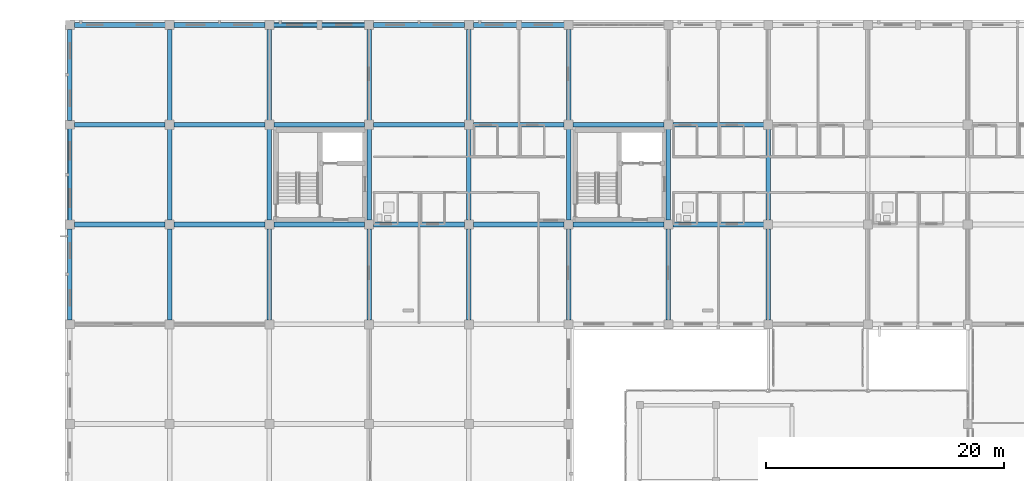
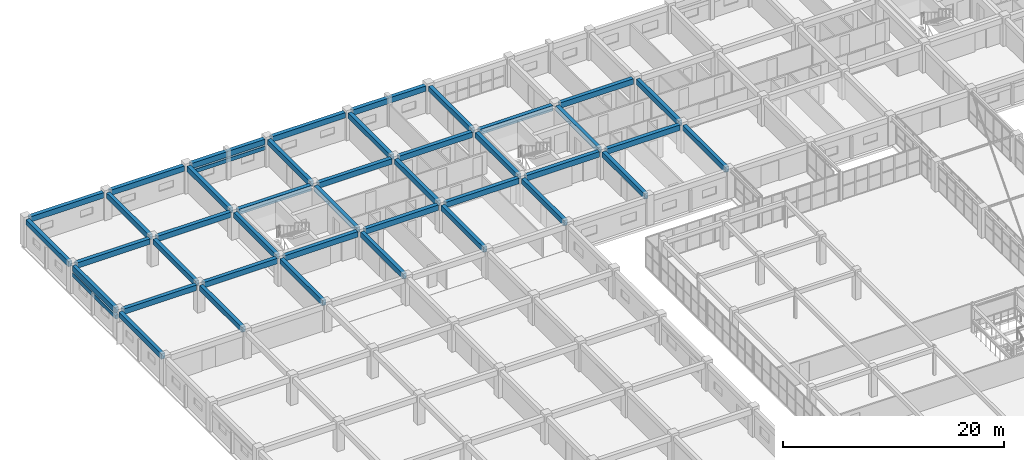
# One storey, part 89 of 200: 43 beams.
"""IFC4 building model written with IfcOpenShell, lengths in metres."""

from ifc_helpers import new_model, si_unit, direction, frame, origin, origin_2d, place, context, subcontext, project, spatial, rectangle, extrude, material, material_profile, profile_set, type_object, element, save


model = new_model("IFC4")

# Units and contexts
model_context = context("Model", 3, precision=1e-05, world=origin(), true_north=direction((0.0, 1.0)))
body_context = subcontext(model_context, "Body", "Model", "MODEL_VIEW")
ifc_project = project(units=[si_unit("LENGTHUNIT", "METRE"), si_unit("AREAUNIT", "SQUARE_METRE"), si_unit("VOLUMEUNIT", "CUBIC_METRE"), si_unit("PLANEANGLEUNIT", "RADIAN"), si_unit("MASSUNIT", "GRAM", prefix="KILO")], contexts=[model_context])

# Site, building, storey
site_placement = place(None, origin())
site = spatial("IfcSite", under=ifc_project, at=site_placement, CompositionType="ELEMENT")
building_placement = place(site_placement, origin())
building = spatial("IfcBuilding", under=site, at=building_placement, Name="Trelvath General Hospital", CompositionType="ELEMENT")
storey_placement = place(building_placement, frame((0.0, 0.0, 4.800048828125)))
storey = spatial("IfcBuildingStorey", under=building, at=storey_placement, Name="L01", CompositionType="ELEMENT", Elevation=4.800048828125)

# Beams
ifc_material_1 = material(Name="Concrete C35/45", Category="concrete")
ifc_material_profile_1 = material_profile(ifc_material_1, rectangle(XDim=0.3798828125, YDim=0.580078125, at=origin_2d()), Name="RCB380x580")
ifc_profile_set_1 = profile_set([ifc_material_profile_1], Name="Concrete C35/45")
beam_type_1 = type_object("IfcBeamType", Name="Beam RC380x580", PredefinedType="BEAM", material=ifc_profile_set_1)
beam_1_placement = place(storey_placement, frame((0.0, 92.77001953125, 2.72998046875), z_axis=(0.0, 1.0, 0.0), x_axis=(-1.0, 0.0, 0.0)))
element("IfcBeam", 1, at=beam_1_placement, inside=storey, type_object=beam_type_1, Name="Grid Beam BY-100L", PredefinedType="BEAM", context=body_context, shape_type="SweptSolid", body=[
    extrude(rectangle(XDim=0.3798828125, YDim=0.580078125, at=origin_2d()), origin(), (0.0, 0.0, 1.0), 7.659912109375),
])
beam_2_placement = place(storey_placement, frame((0.0, 101.169921875, 2.72998046875), z_axis=(0.0, 1.0, 0.0), x_axis=(-1.0, 0.0, 0.0)))
element("IfcBeam", 2, at=beam_2_placement, inside=storey, type_object=beam_type_1, Name="Grid Beam BY-100M", PredefinedType="BEAM", context=body_context, shape_type="SweptSolid", body=[
    extrude(rectangle(XDim=0.3798828125, YDim=0.580078125, at=origin_2d()), origin(), (0.0, 0.0, 1.0), 7.66015625),
])
beam_3_placement = place(storey_placement, frame((0.0, 109.570068359375, 2.72998046875), z_axis=(0.0, 1.0, 0.0), x_axis=(-1.0, 0.0, 0.0)))
element("IfcBeam", 3, at=beam_3_placement, inside=storey, type_object=beam_type_1, Name="Grid Beam BY-100N", PredefinedType="BEAM", context=body_context, shape_type="SweptSolid", body=[
    extrude(rectangle(XDim=0.3798828125, YDim=0.580078125, at=origin_2d()), origin(), (0.0, 0.0, 1.0), 7.659912109375),
])
beam_4_placement = place(storey_placement, frame((8.39990234375, 92.77490234375, 2.72998046875), z_axis=(0.0, 1.0, 0.0), x_axis=(-1.0, 0.0, 0.0)))
element("IfcBeam", 4, at=beam_4_placement, inside=storey, type_object=beam_type_1, Name="Grid Beam BY-101L", PredefinedType="BEAM", context=body_context, shape_type="SweptSolid", body=[
    extrude(rectangle(XDim=0.3798828125, YDim=0.580078125, at=origin_2d()), origin(), (0.0, 0.0, 1.0), 7.650146484375),
])
beam_5_placement = place(storey_placement, frame((8.39990234375, 101.175048828125, 2.72998046875), z_axis=(0.0, 1.0, 0.0), x_axis=(-1.0, 0.0, 0.0)))
element("IfcBeam", 5, at=beam_5_placement, inside=storey, type_object=beam_type_1, Name="Grid Beam BY-101M", PredefinedType="BEAM", context=body_context, shape_type="SweptSolid", body=[
    extrude(rectangle(XDim=0.3798828125, YDim=0.580078125, at=origin_2d()), origin(), (0.0, 0.0, 1.0), 7.64990234375),
])
beam_6_placement = place(storey_placement, frame((8.39990234375, 109.574951171875, 2.72998046875), z_axis=(0.0, 1.0, 0.0), x_axis=(-1.0, 0.0, 0.0)))
element("IfcBeam", 6, at=beam_6_placement, inside=storey, type_object=beam_type_1, Name="Grid Beam BY-101N", PredefinedType="BEAM", context=body_context, shape_type="SweptSolid", body=[
    extrude(rectangle(XDim=0.3798828125, YDim=0.580078125, at=origin_2d()), origin(), (0.0, 0.0, 1.0), 7.655029296875),
])
beam_7_placement = place(storey_placement, frame((16.800048828125, 92.77490234375, 2.72998046875), z_axis=(0.0, 1.0, 0.0), x_axis=(-1.0, 0.0, 0.0)))
element("IfcBeam", 7, at=beam_7_placement, inside=storey, type_object=beam_type_1, Name="Grid Beam BY-102L", PredefinedType="BEAM", context=body_context, shape_type="SweptSolid", body=[
    extrude(rectangle(XDim=0.3798828125, YDim=0.580078125, at=origin_2d()), origin(), (0.0, 0.0, 1.0), 7.650146484375),
])
beam_8_placement = place(storey_placement, frame((16.800048828125, 101.175048828125, 2.72998046875), z_axis=(0.0, 1.0, 0.0), x_axis=(-1.0, 0.0, 0.0)))
element("IfcBeam", 8, at=beam_8_placement, inside=storey, type_object=beam_type_1, Name="Grid Beam BY-102M", PredefinedType="BEAM", context=body_context, shape_type="SweptSolid", body=[
    extrude(rectangle(XDim=0.3798828125, YDim=0.580078125, at=origin_2d()), origin(), (0.0, 0.0, 1.0), 7.64990234375),
])
beam_9_placement = place(storey_placement, frame((16.800048828125, 109.574951171875, 2.72998046875), z_axis=(0.0, 1.0, 0.0), x_axis=(-1.0, 0.0, 0.0)))
element("IfcBeam", 9, at=beam_9_placement, inside=storey, type_object=beam_type_1, Name="Grid Beam BY-102N", PredefinedType="BEAM", context=body_context, shape_type="SweptSolid", body=[
    extrude(rectangle(XDim=0.3798828125, YDim=0.580078125, at=origin_2d()), origin(), (0.0, 0.0, 1.0), 7.655029296875),
])
beam_10_placement = place(storey_placement, frame((25.199951171875, 92.77490234375, 2.72998046875), z_axis=(0.0, 1.0, 0.0), x_axis=(-1.0, 0.0, 0.0)))
element("IfcBeam", 10, at=beam_10_placement, inside=storey, type_object=beam_type_1, Name="Grid Beam BY-103L", PredefinedType="BEAM", context=body_context, shape_type="SweptSolid", body=[
    extrude(rectangle(XDim=0.3798828125, YDim=0.580078125, at=origin_2d()), origin(), (0.0, 0.0, 1.0), 7.650146484375),
])
beam_11_placement = place(storey_placement, frame((25.199951171875, 101.175048828125, 2.72998046875), z_axis=(0.0, 1.0, 0.0), x_axis=(-1.0, 0.0, 0.0)))
element("IfcBeam", 11, at=beam_11_placement, inside=storey, type_object=beam_type_1, Name="Grid Beam BY-103M", PredefinedType="BEAM", context=body_context, shape_type="SweptSolid", body=[
    extrude(rectangle(XDim=0.3798828125, YDim=0.580078125, at=origin_2d()), origin(), (0.0, 0.0, 1.0), 7.64990234375),
])
beam_12_placement = place(storey_placement, frame((25.199951171875, 109.574951171875, 2.72998046875), z_axis=(0.0, 1.0, 0.0), x_axis=(-1.0, 0.0, 0.0)))
element("IfcBeam", 12, at=beam_12_placement, inside=storey, type_object=beam_type_1, Name="Grid Beam BY-103N", PredefinedType="BEAM", context=body_context, shape_type="SweptSolid", body=[
    extrude(rectangle(XDim=0.3798828125, YDim=0.580078125, at=origin_2d()), origin(), (0.0, 0.0, 1.0), 7.655029296875),
])
beam_13_placement = place(storey_placement, frame((33.60009765625, 92.77490234375, 2.72998046875), z_axis=(0.0, 1.0, 0.0), x_axis=(-1.0, 0.0, 0.0)))
element("IfcBeam", 13, at=beam_13_placement, inside=storey, type_object=beam_type_1, Name="Grid Beam BY-104L", PredefinedType="BEAM", context=body_context, shape_type="SweptSolid", body=[
    extrude(rectangle(XDim=0.3798828125, YDim=0.580078125, at=origin_2d()), origin(), (0.0, 0.0, 1.0), 7.650146484375),
])
beam_14_placement = place(storey_placement, frame((33.60009765625, 101.175048828125, 2.72998046875), z_axis=(0.0, 1.0, 0.0), x_axis=(-1.0, 0.0, 0.0)))
element("IfcBeam", 14, at=beam_14_placement, inside=storey, type_object=beam_type_1, Name="Grid Beam BY-104M", PredefinedType="BEAM", context=body_context, shape_type="SweptSolid", body=[
    extrude(rectangle(XDim=0.3798828125, YDim=0.580078125, at=origin_2d()), origin(), (0.0, 0.0, 1.0), 7.64990234375),
])
for number, where, z_axis, x_axis, name in (
    (15, (33.60009765625, 109.574951171875, 2.72998046875), (0.0, 1.0, 0.0), (-1.0, 0.0, 0.0), "Grid Beam BY-104N"),
    (16, (42.0, 92.77001953125, 2.72998046875), (0.0, 1.0, 0.0), (-1.0, 0.0, 0.0), "Grid Beam BY-105L"),
):
    element("IfcBeam", number, at=place(storey_placement, frame(where, z_axis=z_axis, x_axis=x_axis)), inside=storey, type_object=beam_type_1, Name=name, PredefinedType="BEAM", context=body_context, shape_type="SweptSolid", body=[
        extrude(rectangle(XDim=0.3798828125, YDim=0.580078125, at=origin_2d()), origin(), (0.0, 0.0, 1.0), 7.655029296875),
    ])
beam_15_placement = place(storey_placement, frame((42.0, 101.175048828125, 2.72998046875), z_axis=(0.0, 1.0, 0.0), x_axis=(-1.0, 0.0, 0.0)))
element("IfcBeam", 17, at=beam_15_placement, inside=storey, type_object=beam_type_1, Name="Grid Beam BY-105M", PredefinedType="BEAM", context=body_context, shape_type="SweptSolid", body=[
    extrude(rectangle(XDim=0.3798828125, YDim=0.580078125, at=origin_2d()), origin(), (0.0, 0.0, 1.0), 7.64990234375),
])
for number, where, z_axis, x_axis, name in (
    (18, (42.0, 109.574951171875, 2.72998046875), (0.0, 1.0, 0.0), (-1.0, 0.0, 0.0), "Grid Beam BY-105N"),
    (19, (50.39990234375, 92.77001953125, 2.72998046875), (0.0, 1.0, 0.0), (-1.0, 0.0, 0.0), "Grid Beam BY-106L"),
):
    element("IfcBeam", number, at=place(storey_placement, frame(where, z_axis=z_axis, x_axis=x_axis)), inside=storey, type_object=beam_type_1, Name=name, PredefinedType="BEAM", context=body_context, shape_type="SweptSolid", body=[
        extrude(rectangle(XDim=0.3798828125, YDim=0.580078125, at=origin_2d()), origin(), (0.0, 0.0, 1.0), 7.655029296875),
    ])
beam_16_placement = place(storey_placement, frame((50.39990234375, 101.175048828125, 2.72998046875), z_axis=(0.0, 1.0, 0.0), x_axis=(-1.0, 0.0, 0.0)))
element("IfcBeam", 20, at=beam_16_placement, inside=storey, type_object=beam_type_1, Name="Grid Beam BY-106M", PredefinedType="BEAM", context=body_context, shape_type="SweptSolid", body=[
    extrude(rectangle(XDim=0.3798828125, YDim=0.580078125, at=origin_2d()), origin(), (0.0, 0.0, 1.0), 7.64990234375),
])
beam_17_placement = place(storey_placement, frame((58.800048828125, 92.77001953125, 2.72998046875), z_axis=(0.0, 1.0, 0.0), x_axis=(-1.0, 0.0, 0.0)))
element("IfcBeam", 21, at=beam_17_placement, inside=storey, type_object=beam_type_1, Name="Grid Beam BY-107L", PredefinedType="BEAM", context=body_context, shape_type="SweptSolid", body=[
    extrude(rectangle(XDim=0.3798828125, YDim=0.580078125, at=origin_2d()), origin(), (0.0, 0.0, 1.0), 7.655029296875),
])
beam_18_placement = place(storey_placement, frame((58.800048828125, 101.175048828125, 2.72998046875), z_axis=(0.0, 1.0, 0.0), x_axis=(-1.0, 0.0, 0.0)))
element("IfcBeam", 22, at=beam_18_placement, inside=storey, type_object=beam_type_1, Name="Grid Beam BY-107M", PredefinedType="BEAM", context=body_context, shape_type="SweptSolid", body=[
    extrude(rectangle(XDim=0.3798828125, YDim=0.580078125, at=origin_2d()), origin(), (0.0, 0.0, 1.0), 7.64990234375),
])
ifc_material_2 = material(Name="Concrete C35/45", Category="concrete")
ifc_material_profile_2 = material_profile(ifc_material_2, rectangle(XDim=0.39990234375, YDim=0.60009765625, at=origin_2d()), Name="RCB400x600")
ifc_profile_set_2 = profile_set([ifc_material_profile_2], Name="Concrete C35/45")
beam_type_2 = type_object("IfcBeamType", Name="Beam RC400x600", PredefinedType="BEAM", material=ifc_profile_set_2)
for number, where, z_axis, x_axis, name in (
    (23, (0.3701171875, 100.800048828125, 2.719970703125), (1.0, 0.0, 0.0), (0.0, 1.0, 0.0), "Grid Beam BX-100M"),
    (24, (0.3701171875, 109.199951171875, 2.719970703125), (1.0, 0.0, 0.0), (0.0, 1.0, 0.0), "Grid Beam BX-100N"),
):
    element("IfcBeam", number, at=place(storey_placement, frame(where, z_axis=z_axis, x_axis=x_axis)), inside=storey, type_object=beam_type_2, Name=name, PredefinedType="BEAM", context=body_context, shape_type="SweptSolid", body=[
        extrude(rectangle(XDim=0.39990234375, YDim=0.60009765625, at=origin_2d()), origin(), (0.0, 0.0, 1.0), 7.65478515625),
    ])
beam_19_placement = place(storey_placement, frame((0.3701171875, 117.60009765625, 2.719970703125), z_axis=(1.0, 0.0, 0.0), x_axis=(0.0, 1.0, 0.0)))
element("IfcBeam", 25, at=beam_19_placement, inside=storey, type_object=beam_type_2, Name="Grid Beam BX-100O", PredefinedType="BEAM", context=body_context, shape_type="SweptSolid", body=[
    extrude(rectangle(XDim=0.39990234375, YDim=0.60009765625, at=origin_2d()), origin(), (0.0, 0.0, 1.0), 7.659912109375),
])
for number, where, z_axis, x_axis, name in (
    (26, (8.77490234375, 100.800048828125, 2.719970703125), (1.0, 0.0, 0.0), (0.0, 1.0, 0.0), "Grid Beam BX-101M"),
    (27, (8.77490234375, 109.199951171875, 2.719970703125), (1.0, 0.0, 0.0), (0.0, 1.0, 0.0), "Grid Beam BX-101N"),
):
    element("IfcBeam", number, at=place(storey_placement, frame(where, z_axis=z_axis, x_axis=x_axis)), inside=storey, type_object=beam_type_2, Name=name, PredefinedType="BEAM", context=body_context, shape_type="SweptSolid", body=[
        extrude(rectangle(XDim=0.39990234375, YDim=0.60009765625, at=origin_2d()), origin(), (0.0, 0.0, 1.0), 7.650146484375),
    ])
beam_20_placement = place(storey_placement, frame((8.77001953125, 117.60009765625, 2.719970703125), z_axis=(1.0, 0.0, 0.0), x_axis=(0.0, 1.0, 0.0)))
element("IfcBeam", 28, at=beam_20_placement, inside=storey, type_object=beam_type_2, Name="Grid Beam BX-101O", PredefinedType="BEAM", context=body_context, shape_type="SweptSolid", body=[
    extrude(rectangle(XDim=0.39990234375, YDim=0.60009765625, at=origin_2d()), origin(), (0.0, 0.0, 1.0), 7.659912109375),
])
for number, where, z_axis, x_axis, name in (
    (29, (17.175048828125, 100.800048828125, 2.719970703125), (1.0, 0.0, 0.0), (0.0, 1.0, 0.0), "Grid Beam BX-102M"),
    (30, (17.175048828125, 109.199951171875, 2.719970703125), (1.0, 0.0, 0.0), (0.0, 1.0, 0.0), "Grid Beam BX-102N"),
):
    element("IfcBeam", number, at=place(storey_placement, frame(where, z_axis=z_axis, x_axis=x_axis)), inside=storey, type_object=beam_type_2, Name=name, PredefinedType="BEAM", context=body_context, shape_type="SweptSolid", body=[
        extrude(rectangle(XDim=0.39990234375, YDim=0.60009765625, at=origin_2d()), origin(), (0.0, 0.0, 1.0), 7.64990234375),
    ])
beam_21_placement = place(storey_placement, frame((17.169921875, 117.60009765625, 2.719970703125), z_axis=(1.0, 0.0, 0.0), x_axis=(0.0, 1.0, 0.0)))
element("IfcBeam", 31, at=beam_21_placement, inside=storey, type_object=beam_type_2, Name="Grid Beam BX-102O", PredefinedType="BEAM", context=body_context, shape_type="SweptSolid", body=[
    extrude(rectangle(XDim=0.39990234375, YDim=0.60009765625, at=origin_2d()), origin(), (0.0, 0.0, 1.0), 7.66015625),
])
for number, where, z_axis, x_axis, name in (
    (32, (25.574951171875, 100.800048828125, 2.719970703125), (1.0, 0.0, 0.0), (0.0, 1.0, 0.0), "Grid Beam BX-103M"),
    (33, (25.574951171875, 109.199951171875, 2.719970703125), (1.0, 0.0, 0.0), (0.0, 1.0, 0.0), "Grid Beam BX-103N"),
):
    element("IfcBeam", number, at=place(storey_placement, frame(where, z_axis=z_axis, x_axis=x_axis)), inside=storey, type_object=beam_type_2, Name=name, PredefinedType="BEAM", context=body_context, shape_type="SweptSolid", body=[
        extrude(rectangle(XDim=0.39990234375, YDim=0.60009765625, at=origin_2d()), origin(), (0.0, 0.0, 1.0), 7.650146484375),
    ])
beam_22_placement = place(storey_placement, frame((25.570068359375, 117.60009765625, 2.719970703125), z_axis=(1.0, 0.0, 0.0), x_axis=(0.0, 1.0, 0.0)))
element("IfcBeam", 34, at=beam_22_placement, inside=storey, type_object=beam_type_2, Name="Grid Beam BX-103O", PredefinedType="BEAM", context=body_context, shape_type="SweptSolid", body=[
    extrude(rectangle(XDim=0.39990234375, YDim=0.60009765625, at=origin_2d()), origin(), (0.0, 0.0, 1.0), 7.659912109375),
])
for number, where, z_axis, x_axis, name in (
    (35, (33.97509765625, 100.800048828125, 2.719970703125), (1.0, 0.0, 0.0), (0.0, 1.0, 0.0), "Grid Beam BX-104M"),
    (36, (33.97509765625, 109.199951171875, 2.719970703125), (1.0, 0.0, 0.0), (0.0, 1.0, 0.0), "Grid Beam BX-104N"),
):
    element("IfcBeam", number, at=place(storey_placement, frame(where, z_axis=z_axis, x_axis=x_axis)), inside=storey, type_object=beam_type_2, Name=name, PredefinedType="BEAM", context=body_context, shape_type="SweptSolid", body=[
        extrude(rectangle(XDim=0.39990234375, YDim=0.60009765625, at=origin_2d()), origin(), (0.0, 0.0, 1.0), 7.64990234375),
    ])
beam_23_placement = place(storey_placement, frame((33.969970703125, 117.60009765625, 2.719970703125), z_axis=(1.0, 0.0, 0.0), x_axis=(0.0, 1.0, 0.0)))
element("IfcBeam", 37, at=beam_23_placement, inside=storey, type_object=beam_type_2, Name="Grid Beam BX-104O", PredefinedType="BEAM", context=body_context, shape_type="SweptSolid", body=[
    extrude(rectangle(XDim=0.39990234375, YDim=0.60009765625, at=origin_2d()), origin(), (0.0, 0.0, 1.0), 7.659912109375),
])
for number, where, z_axis, x_axis, name in (
    (38, (42.375, 100.800048828125, 2.719970703125), (1.0, 0.0, 0.0), (0.0, 1.0, 0.0), "Grid Beam BX-105M"),
    (39, (42.375, 109.199951171875, 2.719970703125), (1.0, 0.0, 0.0), (0.0, 1.0, 0.0), "Grid Beam BX-105N"),
):
    element("IfcBeam", number, at=place(storey_placement, frame(where, z_axis=z_axis, x_axis=x_axis)), inside=storey, type_object=beam_type_2, Name=name, PredefinedType="BEAM", context=body_context, shape_type="SweptSolid", body=[
        extrude(rectangle(XDim=0.39990234375, YDim=0.60009765625, at=origin_2d()), origin(), (0.0, 0.0, 1.0), 7.64990234375),
    ])
for number, where, z_axis, x_axis, name in (
    (40, (50.77490234375, 100.800048828125, 2.719970703125), (1.0, 0.0, 0.0), (0.0, 1.0, 0.0), "Grid Beam BX-106M"),
    (41, (50.77490234375, 109.199951171875, 2.719970703125), (1.0, 0.0, 0.0), (0.0, 1.0, 0.0), "Grid Beam BX-106N"),
):
    element("IfcBeam", number, at=place(storey_placement, frame(where, z_axis=z_axis, x_axis=x_axis)), inside=storey, type_object=beam_type_2, Name=name, PredefinedType="BEAM", context=body_context, shape_type="SweptSolid", body=[
        extrude(rectangle(XDim=0.39990234375, YDim=0.60009765625, at=origin_2d()), origin(), (0.0, 0.0, 1.0), 7.650146484375),
    ])
ifc_material_3 = material(Name="Precast concrete C40/50", Category="concrete")
ifc_material_profile_3 = material_profile(ifc_material_3, rectangle(XDim=0.35009765625, YDim=0.419921875, at=origin_2d()), Name="PCL350x420")
ifc_profile_set_3 = profile_set([ifc_material_profile_3], Name="Precast concrete C40/50")
beam_type_3 = type_object("IfcBeamType", Name="Lintel PC350x420", PredefinedType="LINTEL", material=ifc_profile_set_3)
for number, where, z_axis, x_axis, name in (
    (42, (0.0, 101.090087890625, 2.02001953125), (0.0, 1.0, 0.0), (-1.0, 0.0, 0.0), "Precast Window Brow Lintel L01-121"),
    (43, (17.090087890625, 117.60009765625, 2.02001953125), (1.0, 0.0, 0.0), (0.0, 1.0, 0.0), "Precast Window Brow Lintel L01-127"),
):
    element("IfcBeam", number, at=place(storey_placement, frame(where, z_axis=z_axis, x_axis=x_axis)), inside=storey, type_object=beam_type_3, Name=name, PredefinedType="LINTEL", context=body_context, shape_type="SweptSolid", body=[
        extrude(rectangle(XDim=0.35009765625, YDim=0.419921875, at=origin_2d()), origin(), (0.0, 0.0, 1.0), 7.81982421875),
    ])

save(model, "model.ifc")
